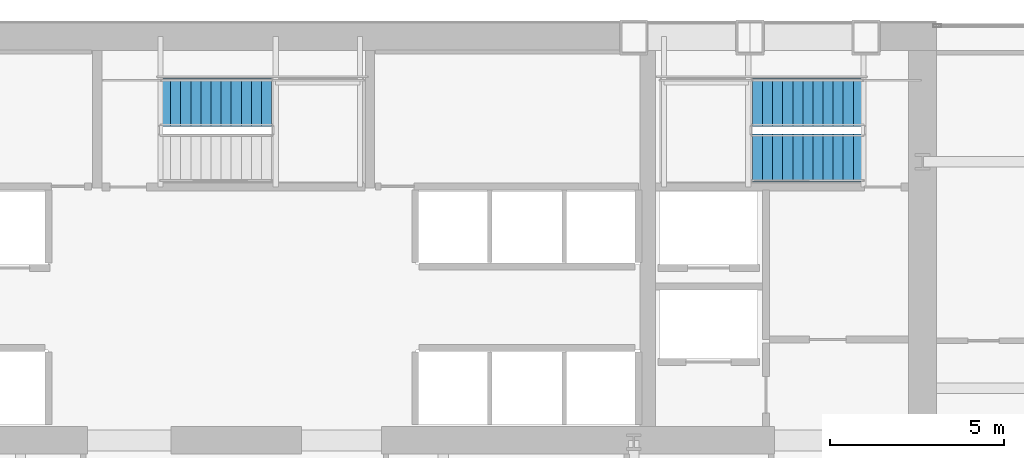
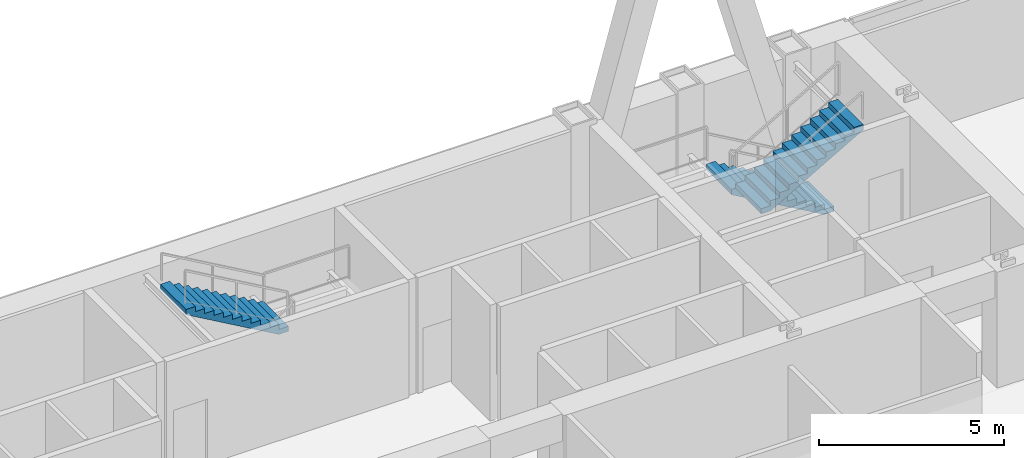
# One storey, part 34 of 37: 3 stair flights, 2 elements without a shape of their own.
"""IFC4 building model written with IfcOpenShell, lengths in metres."""

from ifc_helpers import new_model, si_unit, direction, frame, origin, place, context, subcontext, project, spatial, polyline, outline, extrude, material, type_object, element, aggregate, save


model = new_model("IFC4")

# Units and contexts
model_context = context("Model", 3, precision=1e-05, world=origin(), true_north=direction((0.0, 1.0)))
body_context = subcontext(model_context, "Body", "Model", "MODEL_VIEW")
ifc_project = project(units=[si_unit("LENGTHUNIT", "METRE"), si_unit("AREAUNIT", "SQUARE_METRE"), si_unit("VOLUMEUNIT", "CUBIC_METRE"), si_unit("PLANEANGLEUNIT", "RADIAN"), si_unit("MASSUNIT", "GRAM", prefix="KILO")], contexts=[model_context])

# Site, building, storey
site_placement = place(None, origin())
site = spatial("IfcSite", under=ifc_project, at=site_placement, CompositionType="ELEMENT")
building_placement = place(site_placement, origin())
building = spatial("IfcBuilding", under=site, at=building_placement, Name="Khoronbel Lancet Exchange", CompositionType="ELEMENT")
storey_placement = place(building_placement, frame((0.0, 0.0, 61.800048828125)))
storey = spatial("IfcBuildingStorey", under=building, at=storey_placement, Name="L14", CompositionType="ELEMENT", Elevation=61.800048828125)

# Stair, stair flights
ifc_material = material(Name="Concrete C40/50", Category="concrete")
stair_type = type_object("IfcStairType", Name="STR-CORE150", PredefinedType="HALF_TURN_STAIR", material=ifc_material)
stair_1_placement = place(storey_placement, origin())
stair_1 = element("IfcStair", 1, at=stair_1_placement, inside=storey, type_object=stair_type, Name="L14 Protected Exit Stair ST2", PredefinedType="HALF_TURN_STAIR")
stair_flight_type = type_object("IfcStairFlightType", Name="STF-150", PredefinedType="STRAIGHT", material=ifc_material)
stair_flight_1_placement = place(storey_placement, frame((54.60009765625, 51.409912109375, 0.0), z_axis=(0.0, 0.0, 1.0), x_axis=(-1.0, 0.0, 0.0)))
stair_flight_1 = element("IfcStairFlight", 2, at=stair_flight_1_placement, type_object=stair_flight_type, Name="ST2 flight 1", NumberOfRisers=12, NumberOfTreads=11, PredefinedType="STRAIGHT", RiserHeight=0.166666667, TreadLength=0.29, context=body_context, shape_type="SweptSolid", body=[
    extrude(outline(polyline([(0.0, 0.0), (0.0, 0.166748046875), (0.2900390625, 0.166748046875), (0.2900390625, 0.333251953125), (0.580078125, 0.333251953125), (0.580078125, 0.5), (0.8701171875, 0.5), (0.8701171875, 0.666748046875), (1.159912109375, 0.666748046875), (1.159912109375, 0.833251953125), (1.449951171875, 0.833251953125), (1.449951171875, 1.0), (1.739990234375, 1.0), (1.739990234375, 1.166748046875), (2.030029296875, 1.166748046875), (2.030029296875, 1.333251953125), (2.320068359375, 1.333251953125), (2.320068359375, 1.5), (2.610107421875, 1.5), (2.610107421875, 1.666748046875), (2.89990234375, 1.666748046875), (2.89990234375, 1.833251953125), (3.18994140625, 1.833251953125), (3.18994140625, 2.0), (3.18994140625, 1.660400390625), (0.30078125, 0.0), (0.0, 0.0)])), frame((0.0, 0.68994140625, 0.0), z_axis=(0.0, -1.0, 0.0), x_axis=(1.0, 0.0, 0.0)), (0.0, 0.0, 1.0), 1.3798828125),
])
stair_flight_2_placement = place(storey_placement, frame((51.409912109375, 49.81005859375, 2.0), z_axis=(0.0, 0.0, 1.0), x_axis=(1.0, 0.0, 0.0)))
stair_flight_2 = element("IfcStairFlight", 3, at=stair_flight_2_placement, type_object=stair_flight_type, Name="ST2 flight 2", NumberOfRisers=12, NumberOfTreads=11, PredefinedType="STRAIGHT", RiserHeight=0.166666667, TreadLength=0.29, context=body_context, shape_type="SweptSolid", body=[
    extrude(outline(polyline([(0.0, 0.0), (0.0, 0.166748046875), (0.2900390625, 0.166748046875), (0.2900390625, 0.333251953125), (0.580078125, 0.333251953125), (0.580078125, 0.5), (0.8701171875, 0.5), (0.8701171875, 0.666748046875), (1.159912109375, 0.666748046875), (1.159912109375, 0.833251953125), (1.449951171875, 0.833251953125), (1.449951171875, 1.0), (1.739990234375, 1.0), (1.739990234375, 1.166748046875), (2.030029296875, 1.166748046875), (2.030029296875, 1.333251953125), (2.320068359375, 1.333251953125), (2.320068359375, 1.5), (2.610107421875, 1.5), (2.610107421875, 1.666748046875), (2.89990234375, 1.666748046875), (2.89990234375, 1.833251953125), (3.18994140625, 1.833251953125), (3.18994140625, 2.0), (3.18994140625, 1.660400390625), (0.30078125, 0.0), (0.0, 0.0)])), frame((0.0, 0.68994140625, 0.0), z_axis=(0.0, -1.0, 0.0), x_axis=(1.0, 0.0, 0.0)), (0.0, 0.0, 1.0), 1.3798828125),
])
aggregate(stair_1, [stair_flight_1, stair_flight_2])

# Stair, stair flight
stair_2_placement = place(storey_placement, origin())
stair_2 = element("IfcStair", 4, at=stair_2_placement, inside=storey, type_object=stair_type, Name="L14 Protected Exit Stair ST3", PredefinedType="HALF_TURN_STAIR")
stair_flight_3_placement = place(storey_placement, frame((37.590087890625, 51.409912109375, 2.0), z_axis=(0.0, 0.0, 1.0), x_axis=(-1.0, 0.0, 0.0)))
stair_flight_3 = element("IfcStairFlight", 5, at=stair_flight_3_placement, type_object=stair_flight_type, Name="ST3 flight 2", NumberOfRisers=12, NumberOfTreads=11, PredefinedType="STRAIGHT", RiserHeight=0.166666667, TreadLength=0.29, context=body_context, shape_type="SweptSolid", body=[
    extrude(outline(polyline([(0.0, 0.0), (0.0, 0.166748046875), (0.2900390625, 0.166748046875), (0.2900390625, 0.333251953125), (0.580078125, 0.333251953125), (0.580078125, 0.5), (0.8701171875, 0.5), (0.8701171875, 0.666748046875), (1.159912109375, 0.666748046875), (1.159912109375, 0.833251953125), (1.449951171875, 0.833251953125), (1.449951171875, 1.0), (1.739990234375, 1.0), (1.739990234375, 1.166748046875), (2.030029296875, 1.166748046875), (2.030029296875, 1.333251953125), (2.320068359375, 1.333251953125), (2.320068359375, 1.5), (2.610107421875, 1.5), (2.610107421875, 1.666748046875), (2.89990234375, 1.666748046875), (2.89990234375, 1.833251953125), (3.18994140625, 1.833251953125), (3.18994140625, 2.0), (3.18994140625, 1.660400390625), (0.30078125, 0.0), (0.0, 0.0)])), frame((0.0, 0.68994140625, 0.0), z_axis=(0.0, -1.0, 0.0), x_axis=(1.0, 0.0, 0.0)), (0.0, 0.0, 1.0), 1.3798828125),
])
aggregate(stair_2, [stair_flight_3])

save(model, "model.ifc")
